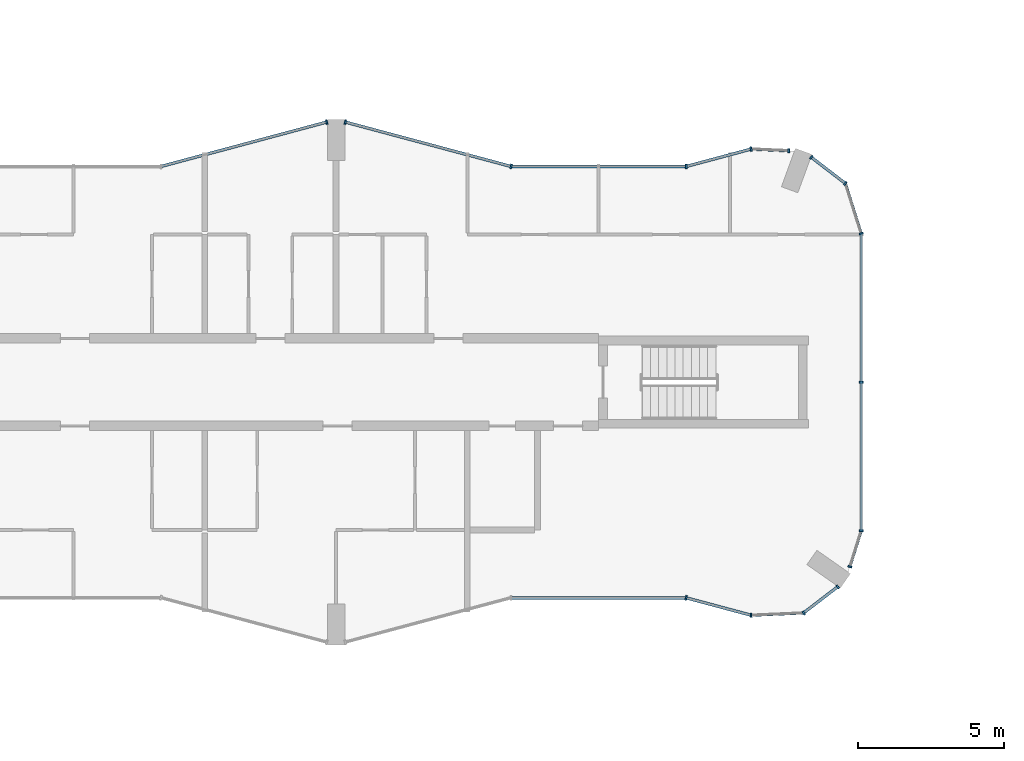
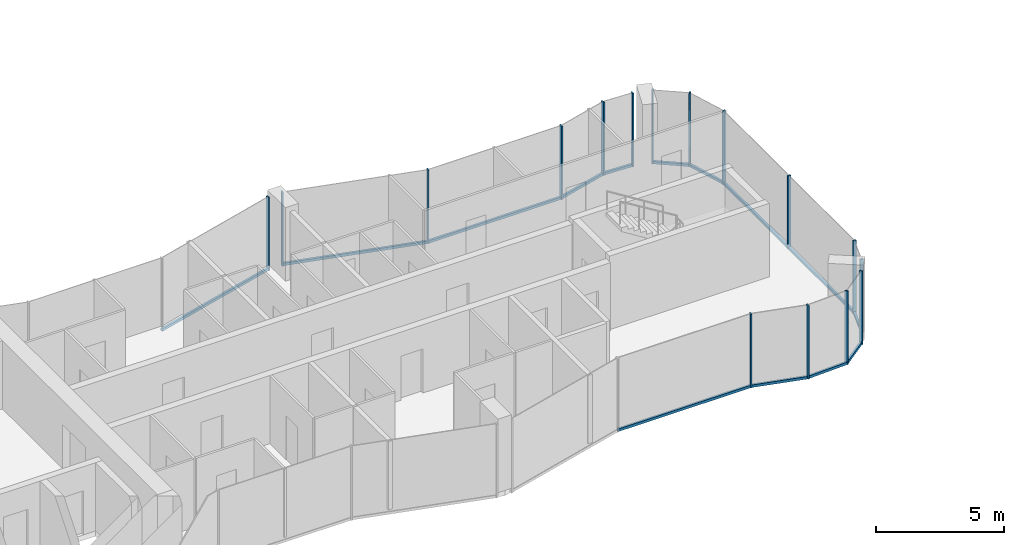
# One storey, part 5 of 23: 29 members, 13 elements without a shape of their own.
"""IFC4 building model written with IfcOpenShell, lengths in metres."""

from ifc_helpers import new_model, si_unit, direction, frame, origin, origin_2d, place, context, subcontext, project, spatial, rectangle, extrude, material, layer, layer_set, material_profile, profile_set, type_object, element, aggregate, save


model = new_model("IFC4")

# Units and contexts
model_context = context("Model", 3, precision=1e-05, world=origin(), true_north=direction((0.0, 1.0)))
body_context = subcontext(model_context, "Body", "Model", "MODEL_VIEW")
ifc_project = project(units=[si_unit("LENGTHUNIT", "METRE"), si_unit("AREAUNIT", "SQUARE_METRE"), si_unit("VOLUMEUNIT", "CUBIC_METRE"), si_unit("PLANEANGLEUNIT", "RADIAN"), si_unit("MASSUNIT", "GRAM", prefix="KILO")], contexts=[model_context])

# Site, building, storey
site_placement = place(None, origin())
site = spatial("IfcSite", under=ifc_project, at=site_placement, CompositionType="ELEMENT")
building_placement = place(site_placement, origin())
building = spatial("IfcBuilding", under=site, at=building_placement, Name="Plateau Cross Towers", CompositionType="ELEMENT")
storey_placement = place(building_placement, frame((0.0, 0.0, 81.800048828125)))
storey = spatial("IfcBuildingStorey", under=building, at=storey_placement, Name="L20", CompositionType="ELEMENT", Elevation=81.800048828125)

# Curtain wall, member
ifc_material_1 = material(Name="Dark low-iron glass", Category="glass")
ifc_layer_1 = layer(ifc_material_1, 0.239990234375)
ifc_layer_set_1 = layer_set([ifc_layer_1], Name="Dark low-iron glass")
curtain_wall_type_1 = type_object("IfcCurtainWallType", Name="Curtain wall flush unitised CW-B", PredefinedType="NOTDEFINED", material=ifc_layer_set_1)
curtain_wall_1_placement = place(storey_placement, origin())
curtain_wall_1 = element("IfcCurtainWall", 1, at=curtain_wall_1_placement, inside=storey, type_object=curtain_wall_type_1, Name="ENV/A/L20/A502_10", PredefinedType="NOTDEFINED")
ifc_material_2 = material(Name="Black anodised aluminium", Category="aluminium")
ifc_material_profile_1 = material_profile(ifc_material_2, rectangle(XDim=0.06005859375, YDim=0.139892578125, at=origin_2d()), Name="MULLION 60x140")
ifc_profile_set_1 = profile_set([ifc_material_profile_1], Name="Black anodised aluminium")
member_type_1 = type_object("IfcMemberType", Name="Mullion 60x140 flush unitised", PredefinedType="MULLION", material=ifc_profile_set_1)
member_1_placement = place(storey_placement, frame((50.223876953125, 1.01123046875, -0.25), z_axis=(0.0, 0.0, 1.0), x_axis=(0.999043701491, 0.043722791671, 0.0)))
member_1 = element("IfcMember", 2, at=member_1_placement, type_object=member_type_1, Name="CW-B mullion 1", PredefinedType="MULLION", context=body_context, shape_type="SweptSolid", body=[
    extrude(rectangle(XDim=0.06005859375, YDim=0.139892578125, at=origin_2d()), origin(), (0.0, 0.0, 1.0), 3.5),
])

# Curtain wall, members
curtain_wall_2_placement = place(storey_placement, origin())
curtain_wall_2 = element("IfcCurtainWall", 3, at=curtain_wall_2_placement, inside=storey, type_object=curtain_wall_type_1, Name="ENV/A/L20/A520_11", PredefinedType="NOTDEFINED")
member_2_placement = place(storey_placement, frame((52.0263671875, 1.090087890625, -0.25), z_axis=(0.0, 0.0, 1.0), x_axis=(0.793315514529, 0.608810721331, 0.0)))
member_2 = element("IfcMember", 4, at=member_2_placement, type_object=member_type_1, Name="CW-B mullion 1", PredefinedType="MULLION", context=body_context, shape_type="SweptSolid", body=[
    extrude(rectangle(XDim=0.06005859375, YDim=0.139892578125, at=origin_2d()), origin(), (0.0, 0.0, 1.0), 3.5),
])
member_3_placement = place(storey_placement, frame((53.193603515625, 1.986083984375, -0.25), z_axis=(0.0, 0.0, 1.0), x_axis=(0.793315514529, 0.608810721331, 0.0)))
member_3 = element("IfcMember", 5, at=member_3_placement, type_object=member_type_1, Name="CW-B mullion 2", PredefinedType="MULLION", context=body_context, shape_type="SweptSolid", body=[
    extrude(rectangle(XDim=0.06005859375, YDim=0.139892578125, at=origin_2d()), origin(), (0.0, 0.0, 1.0), 3.5),
])

# Curtain wall, member
curtain_wall_3_placement = place(storey_placement, origin())
curtain_wall_3 = element("IfcCurtainWall", 6, at=curtain_wall_3_placement, inside=storey, type_object=curtain_wall_type_1, Name="ENV/A/L20/A536_27", PredefinedType="NOTDEFINED")
member_4_placement = place(storey_placement, frame((53.611083984375, 2.67529296875, -0.25), z_axis=(0.0, 0.0, 1.0), x_axis=(0.300686174994, 0.95372313811, 0.0)))
member_4 = element("IfcMember", 7, at=member_4_placement, type_object=member_type_1, Name="CW-B mullion 1", PredefinedType="MULLION", context=body_context, shape_type="SweptSolid", body=[
    extrude(rectangle(XDim=0.06005859375, YDim=0.139892578125, at=origin_2d()), origin(), (0.0, 0.0, 1.0), 3.5),
])

# Curtain wall, members
curtain_wall_4_placement = place(storey_placement, origin())
curtain_wall_4 = element("IfcCurtainWall", 8, at=curtain_wall_4_placement, inside=storey, type_object=curtain_wall_type_1, Name="ENV/A/L20/A540_39", PredefinedType="NOTDEFINED")
member_5_placement = place(storey_placement, frame((54.0, 3.9091796875, -0.25), z_axis=(0.0, 0.0, 1.0), x_axis=(0.0, 1.0, 0.0)))
member_5 = element("IfcMember", 9, at=member_5_placement, type_object=member_type_1, Name="CW-B mullion 1", PredefinedType="MULLION", context=body_context, shape_type="SweptSolid", body=[
    extrude(rectangle(XDim=0.06005859375, YDim=0.139892578125, at=origin_2d()), origin(), (0.0, 0.0, 1.0), 3.5),
])
member_6_placement = place(storey_placement, frame((54.0, 9.0, -0.25), z_axis=(0.0, 0.0, 1.0), x_axis=(0.0, 1.0, 0.0)))
member_6 = element("IfcMember", 10, at=member_6_placement, type_object=member_type_1, Name="CW-B mullion 2", PredefinedType="MULLION", context=body_context, shape_type="SweptSolid", body=[
    extrude(rectangle(XDim=0.06005859375, YDim=0.139892578125, at=origin_2d()), origin(), (0.0, 0.0, 1.0), 3.5),
])

# Curtain wall, member
curtain_wall_5_placement = place(storey_placement, origin())
curtain_wall_5 = element("IfcCurtainWall", 11, at=curtain_wall_5_placement, inside=storey, type_object=curtain_wall_type_1, Name="ENV/A/L20/A540_141", PredefinedType="NOTDEFINED")
member_7_placement = place(storey_placement, frame((54.0, 14.0908203125, -0.25), z_axis=(0.0, 0.0, 1.0), x_axis=(-0.300686174994, 0.95372313811, 0.0)))
member_7 = element("IfcMember", 12, at=member_7_placement, type_object=member_type_1, Name="CW-B mullion 1", PredefinedType="MULLION", context=body_context, shape_type="SweptSolid", body=[
    extrude(rectangle(XDim=0.06005859375, YDim=0.139892578125, at=origin_2d()), origin(), (0.0, 0.0, 1.0), 3.5),
])

# Curtain wall, members
curtain_wall_6_placement = place(storey_placement, origin())
curtain_wall_6 = element("IfcCurtainWall", 13, at=curtain_wall_6_placement, inside=storey, type_object=curtain_wall_type_1, Name="ENV/A/L20/A535_158", PredefinedType="NOTDEFINED")
member_8_placement = place(storey_placement, frame((53.45751953125, 15.8115234375, -0.25), z_axis=(0.0, 0.0, 1.0), x_axis=(-0.793315514529, 0.608810721331, 0.0)))
member_8 = element("IfcMember", 14, at=member_8_placement, type_object=member_type_1, Name="CW-B mullion 1", PredefinedType="MULLION", context=body_context, shape_type="SweptSolid", body=[
    extrude(rectangle(XDim=0.06005859375, YDim=0.139892578125, at=origin_2d()), origin(), (0.0, 0.0, 1.0), 3.5),
])
member_9_placement = place(storey_placement, frame((52.290283203125, 16.707275390625, -0.25), z_axis=(0.0, 0.0, 1.0), x_axis=(-0.793315514529, 0.608810721331, 0.0)))
member_9 = element("IfcMember", 15, at=member_9_placement, type_object=member_type_1, Name="CW-B mullion 2", PredefinedType="MULLION", context=body_context, shape_type="SweptSolid", body=[
    extrude(rectangle(XDim=0.06005859375, YDim=0.139892578125, at=origin_2d()), origin(), (0.0, 0.0, 1.0), 3.5),
])

# Curtain wall, member
curtain_wall_7_placement = place(storey_placement, origin())
curtain_wall_7 = element("IfcCurtainWall", 16, at=curtain_wall_7_placement, inside=storey, type_object=curtain_wall_type_1, Name="ENV/A/L20/A515_169", PredefinedType="NOTDEFINED")
member_10_placement = place(storey_placement, frame((51.516357421875, 16.93212890625, -0.25), z_axis=(0.0, 0.0, 1.0), x_axis=(-0.999043701491, 0.043722791671, 0.0)))
member_10 = element("IfcMember", 17, at=member_10_placement, type_object=member_type_1, Name="CW-B mullion 1", PredefinedType="MULLION", context=body_context, shape_type="SweptSolid", body=[
    extrude(rectangle(XDim=0.06005859375, YDim=0.139892578125, at=origin_2d()), origin(), (0.0, 0.0, 1.0), 3.5),
])

ifc_layer_2 = layer(ifc_material_1, 0.260009765625)
ifc_layer_set_2 = layer_set([ifc_layer_2], Name="Dark low-iron glass")
curtain_wall_type_2 = type_object("IfcCurtainWallType", Name="Curtain wall fluted unitised CW-A", PredefinedType="NOTDEFINED", material=ifc_layer_set_2)
curtain_wall_8_placement = place(storey_placement, origin())
curtain_wall_8 = element("IfcCurtainWall", 18, at=curtain_wall_8_placement, inside=storey, type_object=curtain_wall_type_2, Name="ENV/A/L20/A480_16", PredefinedType="NOTDEFINED")
ifc_material_profile_2 = material_profile(ifc_material_2, rectangle(XDim=0.06005859375, YDim=0.159912109375, at=origin_2d()), Name="MULLION 60x160")
ifc_profile_set_2 = profile_set([ifc_material_profile_2], Name="Black anodised aluminium")
member_type_2 = type_object("IfcMemberType", Name="Mullion 60x160 fluted unitised", PredefinedType="MULLION", material=ifc_profile_set_2)
member_11_placement = place(storey_placement, frame((48.0, 1.60693359375, -0.25), z_axis=(0.0, 0.0, 1.0), x_axis=(0.965957962328, -0.258699081978, 0.0)))
member_11 = element("IfcMember", 19, at=member_11_placement, type_object=member_type_2, Name="CW-A mullion 1", PredefinedType="MULLION", context=body_context, shape_type="SweptSolid", body=[
    extrude(rectangle(XDim=0.06005859375, YDim=0.159912109375, at=origin_2d()), origin(), (0.0, 0.0, 1.0), 3.5),
])

curtain_wall_9_placement = place(storey_placement, origin())
curtain_wall_9 = element("IfcCurtainWall", 20, at=curtain_wall_9_placement, inside=storey, type_object=curtain_wall_type_2, Name="ENV/A/L20/A502_170", PredefinedType="NOTDEFINED")
member_12_placement = place(storey_placement, frame((50.223876953125, 16.98876953125, -0.25), z_axis=(0.0, 0.0, 1.0), x_axis=(-0.965957962328, -0.258699081978, 0.0)))
member_12 = element("IfcMember", 21, at=member_12_placement, type_object=member_type_2, Name="CW-A mullion 1", PredefinedType="MULLION", context=body_context, shape_type="SweptSolid", body=[
    extrude(rectangle(XDim=0.06005859375, YDim=0.159912109375, at=origin_2d()), origin(), (0.0, 0.0, 1.0), 3.5),
])

curtain_wall_10_placement = place(storey_placement, origin())
curtain_wall_10 = element("IfcCurtainWall", 22, at=curtain_wall_10_placement, inside=storey, type_object=curtain_wall_type_2, Name="ENV/A/L20/A480_164", PredefinedType="NOTDEFINED")
member_13_placement = place(storey_placement, frame((48.0, 16.39306640625, -0.25), z_axis=(0.0, 0.0, 1.0), x_axis=(-1.0, 0.0, 0.0)))
member_13 = element("IfcMember", 23, at=member_13_placement, type_object=member_type_2, Name="CW-A mullion 1", PredefinedType="MULLION", context=body_context, shape_type="SweptSolid", body=[
    extrude(rectangle(XDim=0.06005859375, YDim=0.159912109375, at=origin_2d()), origin(), (0.0, 0.0, 1.0), 3.5),
])

# Curtain wall, members
curtain_wall_11_placement = place(storey_placement, origin())
curtain_wall_11 = element("IfcCurtainWall", 24, at=curtain_wall_11_placement, inside=storey, type_object=curtain_wall_type_2, Name="ENV/A/L20/A420_164", PredefinedType="NOTDEFINED")
member_14_placement = place(storey_placement, frame((42.0, 16.39306640625, -0.25), z_axis=(0.0, 0.0, 1.0), x_axis=(-0.965957983404, 0.258699003279, 0.0)))
member_14 = element("IfcMember", 25, at=member_14_placement, type_object=member_type_2, Name="CW-A mullion 1", PredefinedType="MULLION", context=body_context, shape_type="SweptSolid", body=[
    extrude(rectangle(XDim=0.06005859375, YDim=0.159912109375, at=origin_2d()), origin(), (0.0, 0.0, 1.0), 3.5),
])
member_15_placement = place(storey_placement, frame((36.31787109375, 17.914794921875, -0.25), z_axis=(0.0, 0.0, 1.0), x_axis=(-0.965957983404, 0.258699003279, 0.0)))
member_15 = element("IfcMember", 26, at=member_15_placement, type_object=member_type_2, Name="CW-A mullion 2", PredefinedType="MULLION", context=body_context, shape_type="SweptSolid", body=[
    extrude(rectangle(XDim=0.06005859375, YDim=0.159912109375, at=origin_2d()), origin(), (0.0, 0.0, 1.0), 3.5),
])

# Curtain wall, member
curtain_wall_12_placement = place(storey_placement, origin())
curtain_wall_12 = element("IfcCurtainWall", 27, at=curtain_wall_12_placement, inside=storey, type_object=curtain_wall_type_2, Name="ENV/A/L20/A357_179", PredefinedType="NOTDEFINED")
member_16_placement = place(storey_placement, frame((35.68212890625, 17.914794921875, -0.25), z_axis=(0.0, 0.0, 1.0), x_axis=(-0.965957983404, -0.258699003279, 0.0)))
member_16 = element("IfcMember", 28, at=member_16_placement, type_object=member_type_2, Name="CW-A mullion 1", PredefinedType="MULLION", context=body_context, shape_type="SweptSolid", body=[
    extrude(rectangle(XDim=0.06005859375, YDim=0.159912109375, at=origin_2d()), origin(), (0.0, 0.0, 1.0), 3.5),
])

# Member
ifc_material_profile_3 = material_profile(ifc_material_2, rectangle(XDim=0.10009765625, YDim=0.1201171875, at=origin_2d()), Name="TRANSOM 100x120")
ifc_profile_set_3 = profile_set([ifc_material_profile_3], Name="Black anodised aluminium")
member_type_3 = type_object("IfcMemberType", Name="Transom 100x120 flush unitised", PredefinedType="USERDEFINED", material=ifc_profile_set_3)
member_17_placement = place(storey_placement, frame((50.223876953125, 1.01123046875, -0.18994140625), z_axis=(0.999044377355, 0.043707345779, 0.0), x_axis=(-0.043707345779, 0.999044377355, 0.0)))
member_17 = element("IfcMember", 29, at=member_17_placement, type_object=member_type_3, Name="CW-B transom", ObjectType="TRANSOM", PredefinedType="USERDEFINED", context=body_context, shape_type="SweptSolid", body=[
    extrude(rectangle(XDim=0.10009765625, YDim=0.1201171875, at=origin_2d()), origin(), (0.0, 0.0, 1.0), 1.80419921875),
])

aggregate(curtain_wall_1, [member_1, member_17])

member_18_placement = place(storey_placement, frame((52.0263671875, 1.090087890625, -0.18994140625), z_axis=(0.793240368515, 0.608908628415, 0.0), x_axis=(-0.608908628415, 0.793240368515, 0.0)))
member_18 = element("IfcMember", 30, at=member_18_placement, type_object=member_type_3, Name="CW-B transom", ObjectType="TRANSOM", PredefinedType="USERDEFINED", context=body_context, shape_type="SweptSolid", body=[
    extrude(rectangle(XDim=0.10009765625, YDim=0.1201171875, at=origin_2d()), origin(), (0.0, 0.0, 1.0), 1.471435546875),
])

aggregate(curtain_wall_2, [member_2, member_3, member_18])

member_19_placement = place(storey_placement, frame((53.611083984375, 2.67529296875, -0.18994140625), z_axis=(0.300616528216, 0.953745093284, 0.0), x_axis=(-0.953745093284, 0.300616528216, 0.0)))
member_19 = element("IfcMember", 31, at=member_19_placement, type_object=member_type_3, Name="CW-B transom", ObjectType="TRANSOM", PredefinedType="USERDEFINED", context=body_context, shape_type="SweptSolid", body=[
    extrude(rectangle(XDim=0.10009765625, YDim=0.1201171875, at=origin_2d()), origin(), (0.0, 0.0, 1.0), 1.293701171875),
])

aggregate(curtain_wall_3, [member_4, member_19])

member_20_placement = place(storey_placement, frame((54.0, 3.9091796875, -0.18994140625), z_axis=(0.0, 1.0, 0.0), x_axis=(-1.0, 0.0, 0.0)))
member_20 = element("IfcMember", 32, at=member_20_placement, type_object=member_type_3, Name="CW-B transom", ObjectType="TRANSOM", PredefinedType="USERDEFINED", context=body_context, shape_type="SweptSolid", body=[
    extrude(rectangle(XDim=0.10009765625, YDim=0.1201171875, at=origin_2d()), origin(), (0.0, 0.0, 1.0), 10.181640625),
])

aggregate(curtain_wall_4, [member_5, member_6, member_20])

member_21_placement = place(storey_placement, frame((54.0, 14.0908203125, -0.18994140625), z_axis=(-0.30067799945, 0.953725715626, 0.0), x_axis=(-0.953725715626, -0.30067799945, 0.0)))
member_21 = element("IfcMember", 33, at=member_21_placement, type_object=member_type_3, Name="CW-B transom", ObjectType="TRANSOM", PredefinedType="USERDEFINED", context=body_context, shape_type="SweptSolid", body=[
    extrude(rectangle(XDim=0.10009765625, YDim=0.1201171875, at=origin_2d()), origin(), (0.0, 0.0, 1.0), 1.80419921875),
])

aggregate(curtain_wall_5, [member_7, member_21])

member_22_placement = place(storey_placement, frame((53.45751953125, 15.8115234375, -0.18994140625), z_axis=(-0.793320508571, 0.608804213751, 0.0), x_axis=(-0.608804213751, -0.793320508571, 0.0)))
member_22 = element("IfcMember", 34, at=member_22_placement, type_object=member_type_3, Name="CW-B transom", ObjectType="TRANSOM", PredefinedType="USERDEFINED", context=body_context, shape_type="SweptSolid", body=[
    extrude(rectangle(XDim=0.10009765625, YDim=0.1201171875, at=origin_2d()), origin(), (0.0, 0.0, 1.0), 1.471435546875),
])

aggregate(curtain_wall_6, [member_8, member_9, member_22])

member_23_placement = place(storey_placement, frame((51.516357421875, 16.93212890625, -0.18994140625), z_axis=(-0.999041144614, 0.043781175963, 0.0), x_axis=(-0.043781175963, -0.999041144614, 0.0)))
member_23 = element("IfcMember", 35, at=member_23_placement, type_object=member_type_3, Name="CW-B transom", ObjectType="TRANSOM", PredefinedType="USERDEFINED", context=body_context, shape_type="SweptSolid", body=[
    extrude(rectangle(XDim=0.10009765625, YDim=0.1201171875, at=origin_2d()), origin(), (0.0, 0.0, 1.0), 1.293701171875),
])

aggregate(curtain_wall_7, [member_10, member_23])

# Curtain wall, member
curtain_wall_13_placement = place(storey_placement, origin())
curtain_wall_13 = element("IfcCurtainWall", 36, at=curtain_wall_13_placement, inside=storey, type_object=curtain_wall_type_2, Name="ENV/A/L20/A420_16", PredefinedType="NOTDEFINED")
ifc_material_profile_4 = material_profile(ifc_material_2, rectangle(XDim=0.10009765625, YDim=0.1201171875, at=origin_2d()), Name="TRANSOM 100x120")
ifc_profile_set_4 = profile_set([ifc_material_profile_4], Name="Black anodised aluminium")
member_type_4 = type_object("IfcMemberType", Name="Transom 100x120 fluted unitised", PredefinedType="USERDEFINED", material=ifc_profile_set_4)
member_24_placement = place(storey_placement, frame((42.0, 1.60693359375, -0.18994140625), z_axis=(1.0, 0.0, 0.0), x_axis=(0.0, 1.0, 0.0)))
member_24 = element("IfcMember", 37, at=member_24_placement, type_object=member_type_4, Name="CW-A transom", ObjectType="TRANSOM", PredefinedType="USERDEFINED", context=body_context, shape_type="SweptSolid", body=[
    extrude(rectangle(XDim=0.10009765625, YDim=0.1201171875, at=origin_2d()), origin(), (0.0, 0.0, 1.0), 6.0),
])
aggregate(curtain_wall_13, [member_24])

# Member
member_25_placement = place(storey_placement, frame((48.0, 1.60693359375, -0.18994140625), z_axis=(0.965945685136, -0.258744919501, 0.0), x_axis=(0.258744919501, 0.965945685136, 0.0)))
member_25 = element("IfcMember", 38, at=member_25_placement, type_object=member_type_4, Name="CW-A transom", ObjectType="TRANSOM", PredefinedType="USERDEFINED", context=body_context, shape_type="SweptSolid", body=[
    extrude(rectangle(XDim=0.10009765625, YDim=0.1201171875, at=origin_2d()), origin(), (0.0, 0.0, 1.0), 2.30224609375),
])

aggregate(curtain_wall_8, [member_11, member_25])

member_26_placement = place(storey_placement, frame((50.223876953125, 16.98876953125, -0.18994140625), z_axis=(-0.965945685136, -0.258744919501, 0.0), x_axis=(0.258744919501, -0.965945685136, 0.0)))
member_26 = element("IfcMember", 39, at=member_26_placement, type_object=member_type_4, Name="CW-A transom", ObjectType="TRANSOM", PredefinedType="USERDEFINED", context=body_context, shape_type="SweptSolid", body=[
    extrude(rectangle(XDim=0.10009765625, YDim=0.1201171875, at=origin_2d()), origin(), (0.0, 0.0, 1.0), 2.30224609375),
])

aggregate(curtain_wall_9, [member_12, member_26])

member_27_placement = place(storey_placement, frame((48.0, 16.39306640625, -0.18994140625), z_axis=(-1.0, 0.0, 0.0), x_axis=(0.0, -1.0, 0.0)))
member_27 = element("IfcMember", 40, at=member_27_placement, type_object=member_type_4, Name="CW-A transom", ObjectType="TRANSOM", PredefinedType="USERDEFINED", context=body_context, shape_type="SweptSolid", body=[
    extrude(rectangle(XDim=0.10009765625, YDim=0.1201171875, at=origin_2d()), origin(), (0.0, 0.0, 1.0), 6.0),
])

aggregate(curtain_wall_10, [member_13, member_27])

member_28_placement = place(storey_placement, frame((42.0, 16.39306640625, -0.18994140625), z_axis=(-0.965959534794, 0.258693210465, 0.0), x_axis=(-0.258693210465, -0.965959534794, 0.0)))
member_28 = element("IfcMember", 41, at=member_28_placement, type_object=member_type_4, Name="CW-A transom", ObjectType="TRANSOM", PredefinedType="USERDEFINED", context=body_context, shape_type="SweptSolid", body=[
    extrude(rectangle(XDim=0.10009765625, YDim=0.1201171875, at=origin_2d()), origin(), (0.0, 0.0, 1.0), 5.88232421875),
])

aggregate(curtain_wall_11, [member_14, member_15, member_28])

member_29_placement = place(storey_placement, frame((35.68212890625, 17.914794921875, -0.18994140625), z_axis=(-0.965959534794, -0.258693210465, 0.0), x_axis=(0.258693210465, -0.965959534794, 0.0)))
member_29 = element("IfcMember", 42, at=member_29_placement, type_object=member_type_4, Name="CW-A transom", ObjectType="TRANSOM", PredefinedType="USERDEFINED", context=body_context, shape_type="SweptSolid", body=[
    extrude(rectangle(XDim=0.10009765625, YDim=0.1201171875, at=origin_2d()), origin(), (0.0, 0.0, 1.0), 5.88232421875),
])

aggregate(curtain_wall_12, [member_16, member_29])

save(model, "model.ifc")
